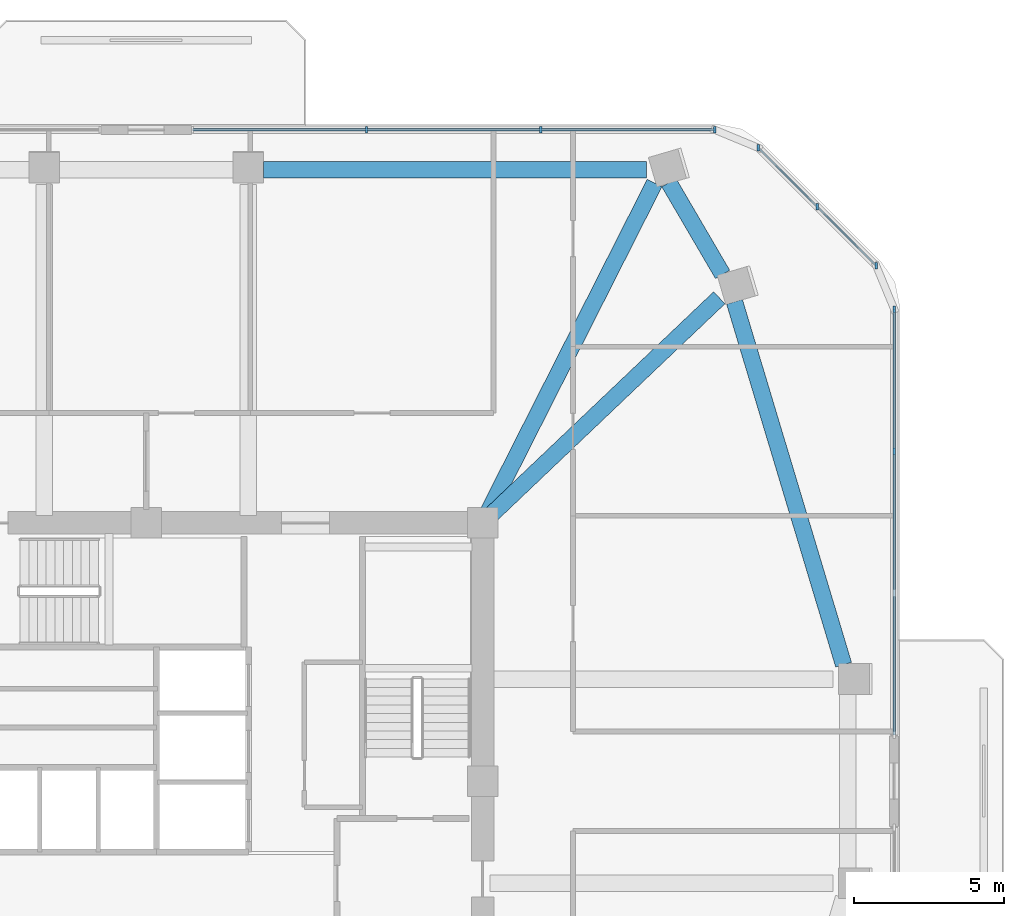
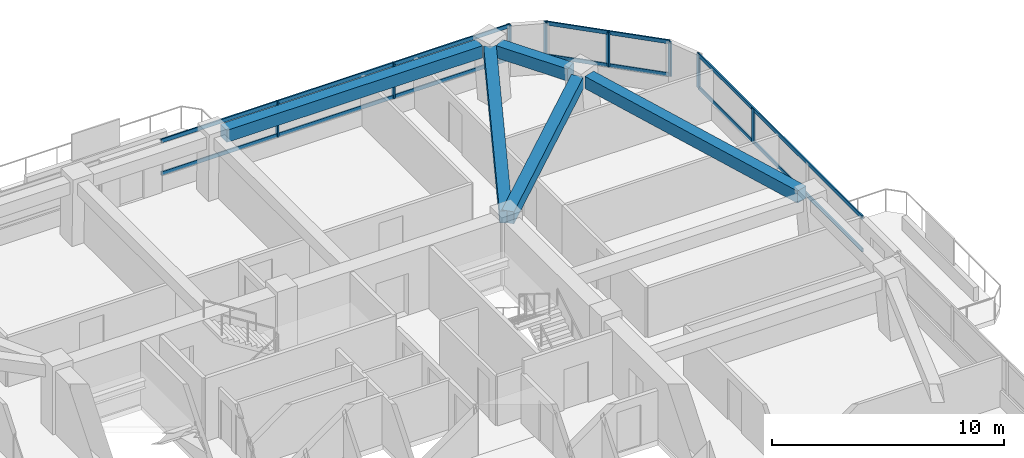
# One storey, part 7 of 13: 14 members, 5 beams, 3 elements without a shape of their own.
"""IFC4 building model written with IfcOpenShell, lengths in metres."""

from ifc_helpers import new_model, si_unit, derived_unit, direction, frame, origin, origin_2d, place, context, subcontext, project, spatial, rectangle, extrude, material, material_profile, profile_set, type_object, element, aggregate, save


model = new_model("IFC4")

# Units and contexts
model_context = context("Model", 3, precision=1e-05, world=origin(), true_north=direction((0.0, 1.0)))
body_context = subcontext(model_context, "Body", "Model", "MODEL_VIEW")
ifc_project = project(units=[si_unit("LENGTHUNIT", "METRE"), si_unit("AREAUNIT", "SQUARE_METRE"), si_unit("VOLUMEUNIT", "CUBIC_METRE"), si_unit("PLANEANGLEUNIT", "RADIAN"), si_unit("MASSUNIT", "GRAM", prefix="KILO"), derived_unit("THERMALTRANSMITTANCEUNIT", [(si_unit("POWERUNIT", "WATT"), 1), (si_unit("LENGTHUNIT", "METRE"), -2), (si_unit("THERMODYNAMICTEMPERATUREUNIT", "KELVIN"), -1)])], contexts=[model_context])

# Site, building, storey
site_placement = place(None, origin())
site = spatial("IfcSite", under=ifc_project, at=site_placement, CompositionType="ELEMENT")
building_placement = place(site_placement, origin())
building = spatial("IfcBuilding", under=site, at=building_placement, Name="Koralith Skygarden Medical Center", CompositionType="ELEMENT")
storey_placement = place(building_placement, frame((0.0, 0.0, 109.97998046875)))
storey = spatial("IfcBuildingStorey", under=building, at=storey_placement, Name="L28", CompositionType="ELEMENT", Elevation=109.97998046875)

# Curtain wall, members
ifc_material_1 = material(Name="Clear Laminated Glass", Category="glass")
curtain_wall_type = type_object("IfcCurtainWallType", Name="CW-3 Zone 2 Faceted Solar Curtain Wall", PredefinedType="NOTDEFINED", material=ifc_material_1)
curtain_wall_1_placement = place(storey_placement, origin())
curtain_wall_1 = element("IfcCurtainWall", 1, at=curtain_wall_1_placement, inside=storey, type_object=curtain_wall_type, Name="Curtain Wall CW-L28-E-R", PredefinedType="NOTDEFINED")
ifc_material_2 = material(Name="Aluminium 6063-T6", Category="aluminium")
ifc_material_profile_1 = material_profile(ifc_material_2, rectangle(XDim=0.073974609375, YDim=0.219970703125, at=origin_2d()), Name="MUL74X220")
ifc_profile_set_1 = profile_set([ifc_material_profile_1], Name="Aluminium 6063-T6")
member_type_1 = type_object("IfcMemberType", Name="CW-3 Extruded Mullion 74x220", PredefinedType="MULLION", material=ifc_profile_set_1)
member_1_placement = place(storey_placement, frame((61.906005859375, 36.888916015625, 0.85009765625), z_axis=(0.0, 0.0, 1.0), x_axis=(1.0, 0.0, 0.0)))
member_1 = element("IfcMember", 2, at=member_1_placement, type_object=member_type_1, Name="CW-L28-E-R Mullion 3", PredefinedType="MULLION", context=body_context, shape_type="SweptSolid", body=[
    extrude(rectangle(XDim=0.073974609375, YDim=0.219970703125, at=origin_2d()), origin(), (0.0, 0.0, 1.0), 1.81982421875),
])
member_2_placement = place(storey_placement, frame((61.906005859375, 41.614013671875, 0.85009765625), z_axis=(0.0, 0.0, 1.0), x_axis=(1.0, 0.0, 0.0)))
member_2 = element("IfcMember", 3, at=member_2_placement, type_object=member_type_1, Name="CW-L28-E-R Mullion 4", PredefinedType="MULLION", context=body_context, shape_type="SweptSolid", body=[
    extrude(rectangle(XDim=0.073974609375, YDim=0.219970703125, at=origin_2d()), origin(), (0.0, 0.0, 1.0), 1.81982421875),
])

curtain_wall_2_placement = place(storey_placement, origin())
curtain_wall_2 = element("IfcCurtainWall", 4, at=curtain_wall_2_placement, inside=storey, type_object=curtain_wall_type, Name="Curtain Wall CW-L28-NE", PredefinedType="NOTDEFINED")
member_3_placement = place(storey_placement, frame((61.304931640625, 43.06494140625, 0.85009765625), z_axis=(0.0, 0.0, 1.0), x_axis=(1.0, 0.0, 0.0)))
member_3 = element("IfcMember", 5, at=member_3_placement, type_object=member_type_1, Name="CW-L28-NE Mullion 1", PredefinedType="MULLION", context=body_context, shape_type="SweptSolid", body=[
    extrude(rectangle(XDim=0.073974609375, YDim=0.219970703125, at=origin_2d()), origin(), (0.0, 0.0, 1.0), 1.81982421875),
])
member_4_placement = place(storey_placement, frame((59.343017578125, 45.02587890625, 0.85009765625), z_axis=(0.0, 0.0, 1.0), x_axis=(1.0, 0.0, 0.0)))
member_4 = element("IfcMember", 6, at=member_4_placement, type_object=member_type_1, Name="CW-L28-NE Mullion 2", PredefinedType="MULLION", context=body_context, shape_type="SweptSolid", body=[
    extrude(rectangle(XDim=0.073974609375, YDim=0.219970703125, at=origin_2d()), origin(), (0.0, 0.0, 1.0), 1.81982421875),
])
member_5_placement = place(storey_placement, frame((57.382080078125, 46.988037109375, 0.85009765625), z_axis=(0.0, 0.0, 1.0), x_axis=(1.0, 0.0, 0.0)))
member_5 = element("IfcMember", 7, at=member_5_placement, type_object=member_type_1, Name="CW-L28-NE Mullion 3", PredefinedType="MULLION", context=body_context, shape_type="SweptSolid", body=[
    extrude(rectangle(XDim=0.073974609375, YDim=0.219970703125, at=origin_2d()), origin(), (0.0, 0.0, 1.0), 1.81982421875),
])

curtain_wall_3_placement = place(storey_placement, origin())
curtain_wall_3 = element("IfcCurtainWall", 8, at=curtain_wall_3_placement, inside=storey, type_object=curtain_wall_type, Name="Curtain Wall CW-L28-N-L", PredefinedType="NOTDEFINED")
member_6_placement = place(storey_placement, frame((55.930908203125, 47.589111328125, 0.85009765625), z_axis=(0.0, 0.0, 1.0), x_axis=(1.0, 0.0, 0.0)))
member_6 = element("IfcMember", 9, at=member_6_placement, type_object=member_type_1, Name="CW-L28-N-L Mullion 1", PredefinedType="MULLION", context=body_context, shape_type="SweptSolid", body=[
    extrude(rectangle(XDim=0.073974609375, YDim=0.219970703125, at=origin_2d()), origin(), (0.0, 0.0, 1.0), 1.81982421875),
])
member_7_placement = place(storey_placement, frame((50.134033203125, 47.589111328125, 0.85009765625), z_axis=(0.0, 0.0, 1.0), x_axis=(1.0, 0.0, 0.0)))
member_7 = element("IfcMember", 10, at=member_7_placement, type_object=member_type_1, Name="CW-L28-N-L Mullion 2", PredefinedType="MULLION", context=body_context, shape_type="SweptSolid", body=[
    extrude(rectangle(XDim=0.073974609375, YDim=0.219970703125, at=origin_2d()), origin(), (0.0, 0.0, 1.0), 1.81982421875),
])
member_8_placement = place(storey_placement, frame((44.337890625, 47.589111328125, 0.85009765625), z_axis=(0.0, 0.0, 1.0), x_axis=(1.0, 0.0, 0.0)))
member_8 = element("IfcMember", 11, at=member_8_placement, type_object=member_type_1, Name="CW-L28-N-L Mullion 3", PredefinedType="MULLION", context=body_context, shape_type="SweptSolid", body=[
    extrude(rectangle(XDim=0.073974609375, YDim=0.219970703125, at=origin_2d()), origin(), (0.0, 0.0, 1.0), 1.81982421875),
])

# Member
ifc_material_profile_2 = material_profile(ifc_material_2, rectangle(XDim=0.069091796875, YDim=0.197998046875, at=origin_2d()), Name="TRN69X198")
ifc_profile_set_2 = profile_set([ifc_material_profile_2], Name="Aluminium 6063-T6")
member_type_2 = type_object("IfcMemberType", Name="CW-3 Thermal Transom 69x198", PredefinedType="USERDEFINED", material=ifc_profile_set_2)
member_9_placement = place(storey_placement, frame((61.906005859375, 27.43896484375, 0.89990234375), z_axis=(0.0, 1.0, 0.0), x_axis=(-1.0, 0.0, 0.0)))
member_9 = element("IfcMember", 12, at=member_9_placement, type_object=member_type_2, Name="CW-L28-E-R Transom 1", ObjectType="TRANSOM", PredefinedType="USERDEFINED", context=body_context, shape_type="SweptSolid", body=[
    extrude(rectangle(XDim=0.069091796875, YDim=0.197998046875, at=origin_2d()), origin(), (0.0, 0.0, 1.0), 14.175048828125),
])

member_10_placement = place(storey_placement, frame((61.906005859375, 27.43896484375, 2.6201171875), z_axis=(0.0, 1.0, 0.0), x_axis=(-1.0, 0.0, 0.0)))
member_10 = element("IfcMember", 13, at=member_10_placement, type_object=member_type_2, Name="CW-L28-E-R Transom 2", ObjectType="TRANSOM", PredefinedType="USERDEFINED", context=body_context, shape_type="SweptSolid", body=[
    extrude(rectangle(XDim=0.069091796875, YDim=0.197998046875, at=origin_2d()), origin(), (0.0, 0.0, 1.0), 14.175048828125),
])

aggregate(curtain_wall_1, [member_1, member_2, member_9, member_10])

member_11_placement = place(storey_placement, frame((61.304931640625, 43.06494140625, 0.89990234375), z_axis=(-0.707084777957, 0.707128783731, 0.0), x_axis=(-0.707128783731, -0.707084777957, 0.0)))
member_11 = element("IfcMember", 14, at=member_11_placement, type_object=member_type_2, Name="CW-L28-NE Transom 1", ObjectType="TRANSOM", PredefinedType="USERDEFINED", context=body_context, shape_type="SweptSolid", body=[
    extrude(rectangle(XDim=0.069091796875, YDim=0.197998046875, at=origin_2d()), origin(), (0.0, 0.0, 1.0), 5.5478515625),
])

member_12_placement = place(storey_placement, frame((61.304931640625, 43.06494140625, 2.6201171875), z_axis=(-0.707084777957, 0.707128783731, 0.0), x_axis=(-0.707128783731, -0.707084777957, 0.0)))
member_12 = element("IfcMember", 15, at=member_12_placement, type_object=member_type_2, Name="CW-L28-NE Transom 2", ObjectType="TRANSOM", PredefinedType="USERDEFINED", context=body_context, shape_type="SweptSolid", body=[
    extrude(rectangle(XDim=0.069091796875, YDim=0.197998046875, at=origin_2d()), origin(), (0.0, 0.0, 1.0), 5.5478515625),
])

aggregate(curtain_wall_2, [member_3, member_4, member_5, member_11, member_12])

member_13_placement = place(storey_placement, frame((55.930908203125, 47.589111328125, 0.89990234375), z_axis=(-1.0, 0.0, 0.0), x_axis=(0.0, -1.0, 0.0)))
member_13 = element("IfcMember", 16, at=member_13_placement, type_object=member_type_2, Name="CW-L28-N-L Transom 1", ObjectType="TRANSOM", PredefinedType="USERDEFINED", context=body_context, shape_type="SweptSolid", body=[
    extrude(rectangle(XDim=0.069091796875, YDim=0.197998046875, at=origin_2d()), origin(), (0.0, 0.0, 1.0), 17.389892578125),
])

member_14_placement = place(storey_placement, frame((55.930908203125, 47.589111328125, 2.6201171875), z_axis=(-1.0, 0.0, 0.0), x_axis=(0.0, -1.0, 0.0)))
member_14 = element("IfcMember", 17, at=member_14_placement, type_object=member_type_2, Name="CW-L28-N-L Transom 2", ObjectType="TRANSOM", PredefinedType="USERDEFINED", context=body_context, shape_type="SweptSolid", body=[
    extrude(rectangle(XDim=0.069091796875, YDim=0.197998046875, at=origin_2d()), origin(), (0.0, 0.0, 1.0), 17.389892578125),
])

aggregate(curtain_wall_3, [member_6, member_7, member_8, member_13, member_14])

# Beams
ifc_material_3 = material(Name="Concrete C45/55", Category="concrete")
ifc_material_profile_3 = material_profile(ifc_material_3, rectangle(XDim=0.550048828125, YDim=0.639892578125, at=origin_2d()), Name="RCB550X640")
ifc_profile_set_3 = profile_set([ifc_material_profile_3], Name="Concrete C45/55")
beam_type_1 = type_object("IfcBeamType", Name="Radial Collector Beam RCB550X640", PredefinedType="BEAM", material=ifc_profile_set_3)
beam_1_placement = place(storey_placement, frame((48.381103515625, 34.672119140625, 3.0), z_axis=(0.724664943916, 0.689101385181, 0.0), x_axis=(-0.689101385181, 0.724664943916, 0.0)))
element("IfcBeam", 18, at=beam_1_placement, inside=storey, type_object=beam_type_1, Name="L28 Radial Collector Beam RB-10", PredefinedType="BEAM", context=body_context, shape_type="SweptSolid", body=[
    extrude(rectangle(XDim=0.550048828125, YDim=0.639892578125, at=origin_2d()), origin(), (0.0, 0.0, 1.0), 10.626953125),
])
beam_2_placement = place(storey_placement, frame((48.31298828125, 34.722900390625, 3.0), z_axis=(0.451521129516, 0.892260427006, 0.0), x_axis=(-0.892260427006, 0.451521129516, 0.0)))
element("IfcBeam", 19, at=beam_2_placement, inside=storey, type_object=beam_type_1, Name="L28 Radial Collector Beam RB-11", PredefinedType="BEAM", context=body_context, shape_type="SweptSolid", body=[
    extrude(rectangle(XDim=0.550048828125, YDim=0.639892578125, at=origin_2d()), origin(), (0.0, 0.0, 1.0), 12.431396484375),
])
ifc_material_profile_4 = material_profile(ifc_material_3, rectangle(XDim=0.550048828125, YDim=0.639892578125, at=origin_2d()), Name="RCB550X640")
ifc_profile_set_4 = profile_set([ifc_material_profile_4], Name="Concrete C45/55")
beam_type_2 = type_object("IfcBeamType", Name="Zone 2-3 Spandrel Beam RCB550X640", PredefinedType="SPANDREL", material=ifc_profile_set_4)
beam_3_placement = place(storey_placement, frame((60.219970703125, 29.779052734375, 3.0), z_axis=(-0.287891099441, 0.95766315313, 0.0), x_axis=(-0.95766315313, -0.287891099441, 0.0)))
element("IfcBeam", 20, at=beam_3_placement, inside=storey, type_object=beam_type_2, Name="L28 Perimeter Spandrel Beam SP-09", PredefinedType="SPANDREL", context=body_context, shape_type="SweptSolid", body=[
    extrude(rectangle(XDim=0.550048828125, YDim=0.639892578125, at=origin_2d()), origin(), (0.0, 0.0, 1.0), 12.6162109375),
])
beam_4_placement = place(storey_placement, frame((56.19189453125, 42.77197265625, 3.0), z_axis=(-0.504822258312, 0.863223312656, 0.0), x_axis=(-0.863223312656, -0.504822258312, 0.0)))
element("IfcBeam", 21, at=beam_4_placement, inside=storey, type_object=beam_type_2, Name="L28 Perimeter Spandrel Beam SP-10", PredefinedType="SPANDREL", context=body_context, shape_type="SweptSolid", body=[
    extrude(rectangle(XDim=0.550048828125, YDim=0.639892578125, at=origin_2d()), origin(), (0.0, 0.0, 1.0), 3.54150390625),
])
beam_5_placement = place(storey_placement, frame((53.652099609375, 46.260986328125, 3.0), z_axis=(-1.0, 0.0, 0.0), x_axis=(0.0, -1.0, 0.0)))
element("IfcBeam", 22, at=beam_5_placement, inside=storey, type_object=beam_type_2, Name="L28 Perimeter Spandrel Beam SP-11", PredefinedType="SPANDREL", context=body_context, shape_type="SweptSolid", body=[
    extrude(rectangle(XDim=0.550048828125, YDim=0.639892578125, at=origin_2d()), origin(), (0.0, 0.0, 1.0), 12.752197265625),
])

save(model, "model.ifc")
